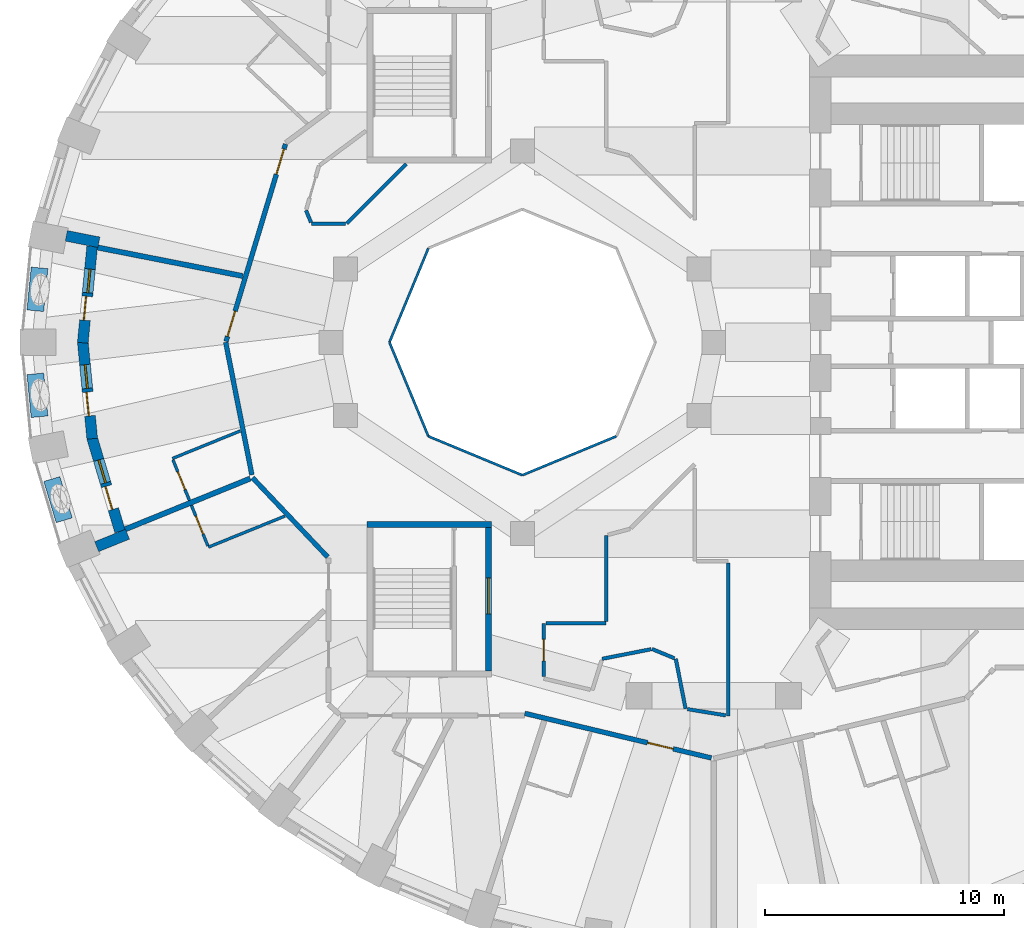
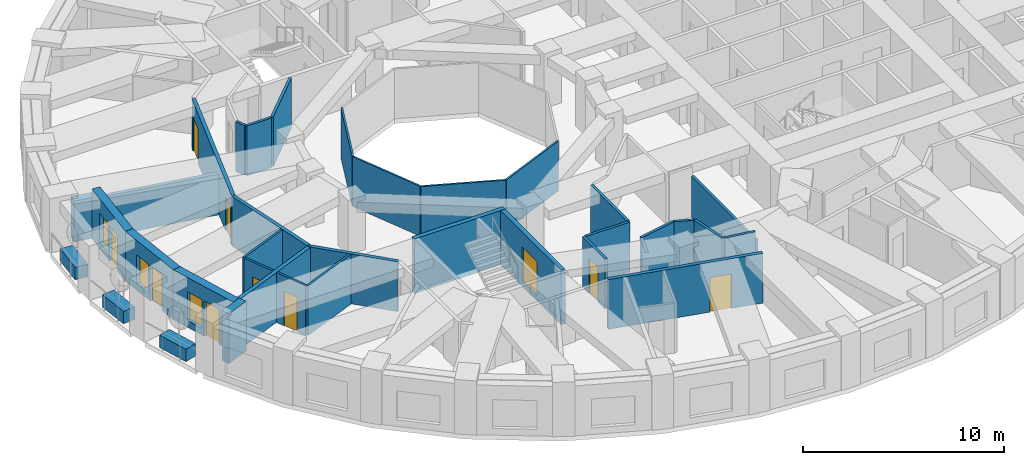
# One storey, part 4 of 14: 35 walls, 10 doors, 3 windows, 13 openings.
"""IFC4 building model written with IfcOpenShell, lengths in metres."""

from ifc_helpers import new_model, si_unit, direction, frame, frame_2d, origin, place, context, subcontext, project, spatial, rectangle, extrude, material, layer, layer_set, constituent, constituent_set, type_object, element, fill, save


model = new_model("IFC4")

# Units and contexts
model_context = context("Model", 3, precision=1e-05, world=origin(), true_north=direction((0.0, 1.0)))
body_context = subcontext(model_context, "Body", "Model", "MODEL_VIEW")
ifc_project = project(units=[si_unit("LENGTHUNIT", "METRE"), si_unit("AREAUNIT", "SQUARE_METRE"), si_unit("VOLUMEUNIT", "CUBIC_METRE"), si_unit("PLANEANGLEUNIT", "RADIAN"), si_unit("MASSUNIT", "GRAM", prefix="KILO")], contexts=[model_context])

# Site, building, storey
site_placement = place(None, origin())
site = spatial("IfcSite", under=ifc_project, at=site_placement, CompositionType="ELEMENT")
building_placement = place(site_placement, origin())
building = spatial("IfcBuilding", under=site, at=building_placement, Name="Taillehof Tower", CompositionType="ELEMENT")
storey_placement = place(building_placement, frame((0.0, 0.0, 21.699951171875)))
storey = spatial("IfcBuildingStorey", under=building, at=storey_placement, Name="L04", CompositionType="ELEMENT", Elevation=21.699951171875)

# Walls
ifc_material_1 = material(Name="Fire-resisting glass in steel frame", Category="steel")
ifc_layer_1 = layer(ifc_material_1, 0.10009765625)
ifc_layer_set_1 = layer_set([ifc_layer_1], Name="Atrium fire-resisting screen EI 60 100")
wall_type_1 = type_object("IfcWallType", Name="Atrium fire-resisting screen EI 60 100", PredefinedType="PARTITIONING", material=ifc_layer_set_1)
for number, where, z_axis, x_axis, name in (
    (1, (-4.07275390625, -3.92724609375, 0.0), (0.0, 0.0, 1.0), (-0.923860025149, -0.382730523909, 0.0), "Atrium screen"),
    (2, (-8.0, -5.55419921875, 0.0), (0.0, 0.0, 1.0), (-0.923860025149, 0.382730523909, 0.0), "Atrium screen"),
    (3, (-11.92724609375, -3.92724609375, 0.0), (0.0, 0.0, 1.0), (-0.382730523909, 0.923860025149, 0.0), "Atrium screen"),
    (4, (-13.55419921875, 0.0, 0.0), (0.0, 0.0, 1.0), (0.382730523909, 0.923860025149, 0.0), "Atrium screen"),
):
    element("IfcWall", number, at=place(storey_placement, frame(where, z_axis=z_axis, x_axis=x_axis)), inside=storey, type_object=wall_type_1, Name=name, PredefinedType="PARTITIONING", context=body_context, shape_type="SweptSolid", body=[
        extrude(rectangle(XDim=4.2509765625, YDim=0.10009765625, at=frame_2d((2.12548828125, 0.0))), origin(), (0.0, 0.0, 1.0), 3.02001953125),
    ])
ifc_material_2 = material(Name="Brick masonry", Category="masonry")
ifc_layer_2 = layer(ifc_material_2, 0.449951171875)
ifc_layer_set_2 = layer_set([ifc_layer_2], Name="Brick infill wall 450")
wall_type_2 = type_object("IfcWallType", Name="Brick infill wall 450", PredefinedType="SOLIDWALL", material=ifc_layer_set_2)
wall_1_placement = place(storey_placement, frame((-27.06396484375, 4.449951171875, 0.0), z_axis=(0.0, 0.0, 1.0), x_axis=(0.98123042829, -0.192838913596, 0.0)))
element("IfcWall", 5, at=wall_1_placement, inside=storey, type_object=wall_type_2, Name="Brick reveal L04 pocket 5", PredefinedType="SOLIDWALL", context=body_context, shape_type="SweptSolid", body=[
    extrude(rectangle(XDim=1.39013671875, YDim=0.449951171875, at=frame_2d((0.695068359375, 0.0))), origin(), (0.0, 0.0, 1.0), 2.469970703125),
])
wall_2_placement = place(storey_placement, frame((-25.795654296875, -8.54443359375, 0.0), z_axis=(0.0, 0.0, 1.0), x_axis=(0.926575599743, 0.376108572039, 0.0)))
element("IfcWall", 6, at=wall_2_placement, inside=storey, type_object=wall_type_2, Name="Brick reveal L04 pocket 5", PredefinedType="SOLIDWALL", context=body_context, shape_type="SweptSolid", body=[
    extrude(rectangle(XDim=1.390380859375, YDim=0.449951171875, at=frame_2d((0.6953125, 0.0))), origin(), (0.0, 0.0, 1.0), 3.02001953125),
])

# Wall, openings, door, window
wall_3_placement = place(storey_placement, frame((-25.982666015625, 4.008056640625, 0.0), z_axis=(0.0, 0.0, 1.0), x_axis=(-0.097133468736, -0.995271364629, 0.0)))
wall_3 = element("IfcWall", 7, at=wall_3_placement, inside=storey, type_object=wall_type_2, Name="Brick wall L04 pocket bay 18", PredefinedType="SOLIDWALL", context=body_context, shape_type="SweptSolid", body=[
    extrude(rectangle(XDim=4.049072265625, YDim=0.449951171875, at=frame_2d((2.0244140625, 0.0))), origin(), (0.0, 0.0, 1.0), 3.02001953125),
])
opening_1_placement = place(wall_3_placement, frame((0.949462890625, 0.0, 0.39990234375)))
opening_1 = element("IfcOpeningElement", 8, at=opening_1_placement, cuts=wall_3, Name="Opening W5", PredefinedType="OPENING", context=body_context, shape_type="SweptSolid", body=[
    extrude(rectangle(XDim=1.0, YDim=1.75, at=frame_2d((0.5, 0.875))), frame((0.0, 0.23486328125, 0.0), z_axis=(0.0, -1.0, 0.0), x_axis=(1.0, 0.0, 0.0)), (0.0, 0.0, 1.0), 0.469970703125),
])
opening_2_placement = place(wall_3_placement, frame((2.099609375, 0.0, 0.0)))
opening_2 = element("IfcOpeningElement", 9, at=opening_2_placement, cuts=wall_3, Name="Opening D0494", PredefinedType="OPENING", context=body_context, shape_type="SweptSolid", body=[
    extrude(rectangle(XDim=1.0, YDim=2.14990234375, at=frame_2d((0.5, 1.074951171875))), frame((0.0, 0.23486328125, 0.0), z_axis=(0.0, -1.0, 0.0), x_axis=(1.0, 0.0, 0.0)), (0.0, 0.0, 1.0), 0.469970703125),
])
ifc_material_3 = material(Name="Aluminium door frame with clear double glazing", Category="aluminium")
door_type_1 = type_object("IfcDoorType", Name="Balcony door 1000x2150", OperationType="SINGLE_SWING_RIGHT", PredefinedType="DOOR", material=ifc_material_3)
door_1_placement = place(opening_2_placement, frame((1.0, 0.0, 0.0), z_axis=(0.0, 0.0, 1.0), x_axis=(-1.0, 0.0, 0.0)))
door_1 = element("IfcDoor", 10, at=door_1_placement, inside=storey, type_object=door_type_1, Name="Balcony door L04 bay 18", OperationType="SINGLE_SWING_RIGHT", OverallHeight=2.14990234375, OverallWidth=1.0, PredefinedType="DOOR", context=body_context, shape_type="SweptSolid", body=[
    extrude(rectangle(XDim=1.0, YDim=2.14990234375, at=frame_2d((0.5, 1.074951171875))), frame((0.0, 0.0751953125, 0.0), z_axis=(0.0, -1.0, 0.0), x_axis=(1.0, 0.0, 0.0)), (0.0, 0.0, 1.0), 0.050048828125),
])
fill(opening_2, door_1)
ifc_material_4 = material(Name="Aluminium window frame with clear double glazing", Category="aluminium")
window_type = type_object("IfcWindowType", Name="Fixed window 1000x1750", PartitioningType="SINGLE_PANEL", PredefinedType="WINDOW", material=ifc_material_4)
window_1_placement = place(opening_1_placement, origin())
window_1 = element("IfcWindow", 11, at=window_1_placement, inside=storey, type_object=window_type, Name="W5", OverallHeight=1.75, OverallWidth=1.0, PartitioningType="SINGLE_PANEL", PredefinedType="WINDOW", context=body_context, shape_type="SweptSolid", body=[
    extrude(rectangle(XDim=1.0, YDim=1.75, at=frame_2d((0.5, 0.875))), frame((0.0, 0.034912109375, 0.0), z_axis=(0.0, -1.0, 0.0), x_axis=(1.0, 0.0, 0.0)), (0.0, 0.0, 1.0), 0.06005859375),
])
fill(opening_1, window_1)

wall_4_placement = place(storey_placement, frame((-26.3759765625, 0.02197265625, 0.0), z_axis=(0.0, 0.0, 1.0), x_axis=(0.097092719726, -0.995275340685, 0.0)))
wall_4 = element("IfcWall", 12, at=wall_4_placement, inside=storey, type_object=wall_type_2, Name="Brick wall L04 pocket bay 19", PredefinedType="SOLIDWALL", context=body_context, shape_type="SweptSolid", body=[
    extrude(rectangle(XDim=4.071044921875, YDim=0.449951171875, at=frame_2d((2.03564453125, 0.0))), origin(), (0.0, 0.0, 1.0), 3.02001953125),
])
opening_3_placement = place(wall_4_placement, frame((0.96044921875, 0.0, 0.39990234375)))
opening_3 = element("IfcOpeningElement", 13, at=opening_3_placement, cuts=wall_4, Name="Opening W5", PredefinedType="OPENING", context=body_context, shape_type="SweptSolid", body=[
    extrude(rectangle(XDim=1.0, YDim=1.75, at=frame_2d((0.5, 0.875))), frame((0.0, 0.23486328125, 0.0), z_axis=(0.0, -1.0, 0.0), x_axis=(1.0, 0.0, 0.0)), (0.0, 0.0, 1.0), 0.469970703125),
])
opening_4_placement = place(wall_4_placement, frame((2.110595703125, 0.0, 0.0)))
opening_4 = element("IfcOpeningElement", 14, at=opening_4_placement, cuts=wall_4, Name="Opening D0495", PredefinedType="OPENING", context=body_context, shape_type="SweptSolid", body=[
    extrude(rectangle(XDim=1.0, YDim=2.14990234375, at=frame_2d((0.5, 1.074951171875))), frame((0.0, 0.23486328125, 0.0), z_axis=(0.0, -1.0, 0.0), x_axis=(1.0, 0.0, 0.0)), (0.0, 0.0, 1.0), 0.469970703125),
])
door_2_placement = place(opening_4_placement, frame((1.0, 0.0, 0.0), z_axis=(0.0, 0.0, 1.0), x_axis=(-1.0, 0.0, 0.0)))
door_2 = element("IfcDoor", 15, at=door_2_placement, inside=storey, type_object=door_type_1, Name="Balcony door L04 bay 19", OperationType="SINGLE_SWING_LEFT", OverallHeight=2.14990234375, OverallWidth=1.0, PredefinedType="DOOR", context=body_context, shape_type="SweptSolid", body=[
    extrude(rectangle(XDim=1.0, YDim=2.14990234375, at=frame_2d((0.5, 1.074951171875))), frame((0.0, 0.0751953125, 0.0), z_axis=(0.0, -1.0, 0.0), x_axis=(1.0, 0.0, 0.0)), (0.0, 0.0, 1.0), 0.050048828125),
])
fill(opening_4, door_2)
window_2_placement = place(opening_3_placement, origin())
window_2 = element("IfcWindow", 16, at=window_2_placement, inside=storey, type_object=window_type, Name="W5", OverallHeight=1.75, OverallWidth=1.0, PartitioningType="SINGLE_PANEL", PredefinedType="WINDOW", context=body_context, shape_type="SweptSolid", body=[
    extrude(rectangle(XDim=1.0, YDim=1.75, at=frame_2d((0.5, 0.875))), frame((0.0, 0.034912109375, 0.0), z_axis=(0.0, -1.0, 0.0), x_axis=(1.0, 0.0, 0.0)), (0.0, 0.0, 1.0), 0.06005859375),
])
fill(opening_3, window_2)

wall_5_placement = place(storey_placement, frame((-25.989013671875, -3.9873046875, 0.0), z_axis=(0.0, 0.0, 1.0), x_axis=(0.286427456555, -0.958101932015, 0.0)))
wall_5 = element("IfcWall", 17, at=wall_5_placement, inside=storey, type_object=wall_type_2, Name="Brick wall L04 pocket bay 20", PredefinedType="SOLIDWALL", context=body_context, shape_type="SweptSolid", body=[
    extrude(rectangle(XDim=4.0888671875, YDim=0.449951171875, at=frame_2d((2.04443359375, 0.0))), origin(), (0.0, 0.0, 1.0), 3.02001953125),
])
opening_5_placement = place(wall_5_placement, frame((0.969482421875, 0.0, 0.39990234375)))
opening_5 = element("IfcOpeningElement", 18, at=opening_5_placement, cuts=wall_5, Name="Opening W5", PredefinedType="OPENING", context=body_context, shape_type="SweptSolid", body=[
    extrude(rectangle(XDim=1.0, YDim=1.75, at=frame_2d((0.5, 0.875))), frame((0.0, 0.23486328125, 0.0), z_axis=(0.0, -1.0, 0.0), x_axis=(1.0, 0.0, 0.0)), (0.0, 0.0, 1.0), 0.469970703125),
])
opening_6_placement = place(wall_5_placement, frame((2.119384765625, 0.0, 0.0)))
opening_6 = element("IfcOpeningElement", 19, at=opening_6_placement, cuts=wall_5, Name="Opening D0496", PredefinedType="OPENING", context=body_context, shape_type="SweptSolid", body=[
    extrude(rectangle(XDim=1.0, YDim=2.14990234375, at=frame_2d((0.5, 1.074951171875))), frame((0.0, 0.23486328125, 0.0), z_axis=(0.0, -1.0, 0.0), x_axis=(1.0, 0.0, 0.0)), (0.0, 0.0, 1.0), 0.469970703125),
])
door_3_placement = place(opening_6_placement, frame((1.0, 0.0, 0.0), z_axis=(0.0, 0.0, 1.0), x_axis=(-1.0, 0.0, 0.0)))
door_3 = element("IfcDoor", 20, at=door_3_placement, inside=storey, type_object=door_type_1, Name="Balcony door L04 bay 20", OperationType="SINGLE_SWING_LEFT", OverallHeight=2.14990234375, OverallWidth=1.0, PredefinedType="DOOR", context=body_context, shape_type="SweptSolid", body=[
    extrude(rectangle(XDim=1.0, YDim=2.14990234375, at=frame_2d((0.5, 1.074951171875))), frame((0.0, 0.0751953125, 0.0), z_axis=(0.0, -1.0, 0.0), x_axis=(1.0, 0.0, 0.0)), (0.0, 0.0, 1.0), 0.050048828125),
])
fill(opening_6, door_3)
window_3_placement = place(opening_5_placement, origin())
window_3 = element("IfcWindow", 21, at=window_3_placement, inside=storey, type_object=window_type, Name="W5", OverallHeight=1.75, OverallWidth=1.0, PartitioningType="SINGLE_PANEL", PredefinedType="WINDOW", context=body_context, shape_type="SweptSolid", body=[
    extrude(rectangle(XDim=1.0, YDim=1.75, at=frame_2d((0.5, 0.875))), frame((0.0, 0.034912109375, 0.0), z_axis=(0.0, -1.0, 0.0), x_axis=(1.0, 0.0, 0.0)), (0.0, 0.0, 1.0), 0.06005859375),
])
fill(opening_5, window_3)

# Wall, opening, door
ifc_material_5 = material(Name="Gypsum board on steel studs, two layers each side", Category="steel")
ifc_layer_3 = layer(ifc_material_5, 0.199951171875)
ifc_layer_set_3 = layer_set([ifc_layer_3], Name="Compartment wall corridor 200")
wall_type_3 = type_object("IfcWallType", Name="Compartment wall corridor 200", PredefinedType="PARTITIONING", material=ifc_layer_set_3)
wall_6_placement = place(storey_placement, frame((-0.09765625, -17.376708984375, 0.0), z_axis=(0.0, 0.0, 1.0), x_axis=(-0.97260043732, 0.232483094708, 0.0)))
wall_6 = element("IfcWall", 22, at=wall_6_placement, inside=storey, type_object=wall_type_3, Name="Compartment wall", PredefinedType="PARTITIONING", context=body_context, shape_type="SweptSolid", body=[
    extrude(rectangle(XDim=8.02197265625, YDim=0.199951171875, at=frame_2d((4.010986328125, 0.0))), origin(), (0.0, 0.0, 1.0), 3.02001953125),
])
opening_7_placement = place(wall_6_placement, frame((1.64306640625, 0.0, 0.0)))
opening_7 = element("IfcOpeningElement", 23, at=opening_7_placement, cuts=wall_6, Name="Opening D0462", PredefinedType="OPENING", context=body_context, shape_type="SweptSolid", body=[
    extrude(rectangle(XDim=1.10009765625, YDim=2.10009765625, at=frame_2d((0.550048828125, 1.050048828125))), frame((0.0, 0.10986328125, 0.0), z_axis=(0.0, -1.0, 0.0), x_axis=(1.0, 0.0, 0.0)), (0.0, 0.0, 1.0), 0.219970703125),
])
ifc_material_6 = material(Name="Timber door leaf in steel frame", Category="steel")
door_type_2 = type_object("IfcDoorType", Name="Suite entrance door EI 30 1100 x 2100", OperationType="SINGLE_SWING_LEFT", PredefinedType="DOOR", material=ifc_material_6)
door_4_placement = place(opening_7_placement, origin())
door_4 = element("IfcDoor", 24, at=door_4_placement, inside=storey, type_object=door_type_2, Name="D0462", OperationType="SINGLE_SWING_LEFT", OverallHeight=2.10009765625, OverallWidth=1.10009765625, PredefinedType="DOOR", context=body_context, shape_type="SweptSolid", body=[
    extrude(rectangle(XDim=1.10009765625, YDim=2.10009765625, at=frame_2d((0.550048828125, 1.050048828125))), frame((0.0, 0.02490234375, 0.0), z_axis=(0.0, -1.0, 0.0), x_axis=(1.0, 0.0, 0.0)), (0.0, 0.0, 1.0), 0.050048828125),
])
fill(opening_7, door_4)

# Walls
wall_7_placement = place(storey_placement, frame((-16.14111328125, -8.973876953125, 0.0), z_axis=(0.0, 0.0, 1.0), x_axis=(-0.687741683024, 0.725955492735, 0.0)))
element("IfcWall", 25, at=wall_7_placement, inside=storey, type_object=wall_type_3, Name="Compartment wall", PredefinedType="PARTITIONING", context=body_context, shape_type="SweptSolid", body=[
    extrude(rectangle(XDim=4.568115234375, YDim=0.199951171875, at=frame_2d((2.2841796875, 0.0))), origin(), (0.0, 0.0, 1.0), 3.02001953125),
])
wall_8_placement = place(storey_placement, frame((-19.30615234375, -5.54052734375, 0.0), z_axis=(0.0, 0.0, 1.0), x_axis=(-0.193671356151, 0.981066463501, 0.0)))
element("IfcWall", 26, at=wall_8_placement, inside=storey, type_object=wall_type_3, Name="Compartment wall", PredefinedType="PARTITIONING", context=body_context, shape_type="SweptSolid", body=[
    extrude(rectangle(XDim=5.6474609375, YDim=0.199951171875, at=frame_2d((2.82373046875, 0.0))), origin(), (0.0, 0.0, 1.0), 3.02001953125),
])

# Wall, openings, doors
wall_9_placement = place(storey_placement, frame((-20.38818359375, 0.0380859375, 0.0), z_axis=(0.0, 0.0, 1.0), x_axis=(0.288600779805, 0.957449523419, 0.0)))
wall_9 = element("IfcWall", 27, at=wall_9_placement, inside=storey, type_object=wall_type_3, Name="Compartment wall", PredefinedType="PARTITIONING", context=body_context, shape_type="SweptSolid", body=[
    extrude(rectangle(XDim=8.614990234375, YDim=0.199951171875, at=frame_2d((4.3076171875, 0.0))), origin(), (0.0, 0.0, 1.0), 3.02001953125),
])
opening_8_placement = place(wall_9_placement, frame((7.295166015625, 0.0, 0.0)))
opening_8 = element("IfcOpeningElement", 28, at=opening_8_placement, cuts=wall_9, Name="Opening D0452", PredefinedType="OPENING", context=body_context, shape_type="SweptSolid", body=[
    extrude(rectangle(XDim=1.10009765625, YDim=2.10009765625, at=frame_2d((0.550048828125, 1.050048828125))), frame((0.0, 0.10986328125, 0.0), z_axis=(0.0, -1.0, 0.0), x_axis=(1.0, 0.0, 0.0)), (0.0, 0.0, 1.0), 0.219970703125),
])
opening_9_placement = place(wall_9_placement, frame((0.219970703125, 0.0, 0.0)))
opening_9 = element("IfcOpeningElement", 29, at=opening_9_placement, cuts=wall_9, Name="Opening D0454", PredefinedType="OPENING", context=body_context, shape_type="SweptSolid", body=[
    extrude(rectangle(XDim=1.10009765625, YDim=2.10009765625, at=frame_2d((0.550048828125, 1.050048828125))), frame((0.0, 0.10986328125, 0.0), z_axis=(0.0, -1.0, 0.0), x_axis=(1.0, 0.0, 0.0)), (0.0, 0.0, 1.0), 0.219970703125),
])
door_5_placement = place(opening_8_placement, origin())
door_5 = element("IfcDoor", 30, at=door_5_placement, inside=storey, type_object=door_type_2, Name="D0452", OperationType="SINGLE_SWING_RIGHT", OverallHeight=2.10009765625, OverallWidth=1.10009765625, PredefinedType="DOOR", context=body_context, shape_type="SweptSolid", body=[
    extrude(rectangle(XDim=1.10009765625, YDim=2.10009765625, at=frame_2d((0.550048828125, 1.050048828125))), frame((0.0, 0.02490234375, 0.0), z_axis=(0.0, -1.0, 0.0), x_axis=(1.0, 0.0, 0.0)), (0.0, 0.0, 1.0), 0.050048828125),
])
fill(opening_8, door_5)
door_6_placement = place(opening_9_placement, origin())
door_6 = element("IfcDoor", 31, at=door_6_placement, inside=storey, type_object=door_type_2, Name="D0454", OperationType="SINGLE_SWING_RIGHT", OverallHeight=2.10009765625, OverallWidth=1.10009765625, PredefinedType="DOOR", context=body_context, shape_type="SweptSolid", body=[
    extrude(rectangle(XDim=1.10009765625, YDim=2.10009765625, at=frame_2d((0.550048828125, 1.050048828125))), frame((0.0, 0.02490234375, 0.0), z_axis=(0.0, -1.0, 0.0), x_axis=(1.0, 0.0, 0.0)), (0.0, 0.0, 1.0), 0.050048828125),
])
fill(opening_9, door_6)

# Walls
ifc_material_7 = material(Name="Gypsum board on double steel studs with mineral wool", Category="steel")
ifc_layer_4 = layer(ifc_material_7, 0.219970703125)
ifc_layer_set_4 = layer_set([ifc_layer_4], Name="Compartment wall guest room 220")
wall_type_4 = type_object("IfcWallType", Name="Compartment wall guest room 220", PredefinedType="PARTITIONING", material=ifc_layer_set_4)
wall_10_placement = place(storey_placement, frame((-25.760986328125, 3.96435546875, 0.0), z_axis=(0.0, 0.0, 1.0), x_axis=(0.981209888948, -0.192943395406, 0.0)))
element("IfcWall", 32, at=wall_10_placement, inside=storey, type_object=wall_type_4, Name="Compartment wall", PredefinedType="PARTITIONING", context=body_context, shape_type="SweptSolid", body=[
    extrude(rectangle(XDim=6.1875, YDim=0.219970703125, at=frame_2d((3.09375, 0.0))), origin(), (0.0, 0.0, 1.0), 2.469970703125),
])
wall_11_placement = place(storey_placement, frame((-24.6083984375, -7.81982421875, 0.0), z_axis=(0.0, 0.0, 1.0), x_axis=(0.926565467624, 0.376133532415, 0.0)))
element("IfcWall", 33, at=wall_11_placement, inside=storey, type_object=wall_type_4, Name="Compartment wall", PredefinedType="PARTITIONING", context=body_context, shape_type="SweptSolid", body=[
    extrude(rectangle(XDim=5.647705078125, YDim=0.219970703125, at=frame_2d((2.82373046875, 0.0))), origin(), (0.0, 0.0, 1.0), 3.02001953125),
])
ifc_material_8 = material(Name="Gypsum board on steel studs, two layers each side", Category="steel")
ifc_layer_5 = layer(ifc_material_8, 0.14990234375)
ifc_layer_set_5 = layer_set([ifc_layer_5], Name="Compartment wall service room 150")
wall_type_5 = type_object("IfcWallType", Name="Compartment wall service room 150", PredefinedType="PARTITIONING", material=ifc_layer_set_5)
wall_12_placement = place(storey_placement, frame((-12.847412109375, 7.456298828125, 0.0), z_axis=(0.0, 0.0, 1.0), x_axis=(-0.707072180997, -0.707141379683, 0.0)))
element("IfcWall", 34, at=wall_12_placement, inside=storey, type_object=wall_type_5, Name="Compartment wall", PredefinedType="PARTITIONING", context=body_context, shape_type="SweptSolid", body=[
    extrude(rectangle(XDim=3.528076171875, YDim=0.14990234375, at=frame_2d((1.76416015625, 0.0))), origin(), (0.0, 0.0, 1.0), 3.02001953125),
])
wall_13_placement = place(storey_placement, frame((-15.402099609375, 4.96142578125, 0.0), z_axis=(0.0, 0.0, 1.0), x_axis=(-0.999994001087, -0.003463782477, 0.0)))
element("IfcWall", 35, at=wall_13_placement, inside=storey, type_object=wall_type_5, Name="Compartment wall", PredefinedType="PARTITIONING", context=body_context, shape_type="SweptSolid", body=[
    extrude(rectangle(XDim=1.40966796875, YDim=0.14990234375, at=frame_2d((0.704833984375, 0.0))), origin(), (0.0, 0.0, 1.0), 3.02001953125),
])
wall_14_placement = place(storey_placement, frame((-16.83447265625, 5.01220703125, 0.0), z_axis=(0.0, 0.0, 1.0), x_axis=(-0.384455737739, 0.923143426408, 0.0)))
element("IfcWall", 36, at=wall_14_placement, inside=storey, type_object=wall_type_5, Name="Compartment wall", PredefinedType="PARTITIONING", context=body_context, shape_type="SweptSolid", body=[
    extrude(rectangle(XDim=0.54296875, YDim=0.14990234375, at=frame_2d((0.271484375, 0.0))), origin(), (0.0, 0.0, 1.0), 3.02001953125),
])
wall_15_placement = place(storey_placement, frame((-1.17578125, -15.322021484375, 0.0), z_axis=(0.0, 0.0, 1.0), x_axis=(-0.192477233237, 0.981301439256, 0.0)))
element("IfcWall", 37, at=wall_15_placement, inside=storey, type_object=wall_type_5, Name="Compartment wall", PredefinedType="PARTITIONING", context=body_context, shape_type="SweptSolid", body=[
    extrude(rectangle(XDim=2.129638671875, YDim=0.14990234375, at=frame_2d((1.06494140625, 0.0))), origin(), (0.0, 0.0, 1.0), 3.02001953125),
])
wall_16_placement = place(storey_placement, frame((-1.641357421875, -13.20947265625, 0.0), z_axis=(0.0, 0.0, 1.0), x_axis=(-0.923725449546, 0.383055209937, 0.0)))
element("IfcWall", 38, at=wall_16_placement, inside=storey, type_object=wall_type_5, Name="Compartment wall", PredefinedType="PARTITIONING", context=body_context, shape_type="SweptSolid", body=[
    extrude(rectangle(XDim=1.011474609375, YDim=0.14990234375, at=frame_2d((0.505859375, 0.0))), origin(), (0.0, 0.0, 1.0), 3.02001953125),
])
wall_17_placement = place(storey_placement, frame((-2.61474609375, -12.829833984375, 0.0), z_axis=(0.0, 0.0, 1.0), x_axis=(-0.981297312652, -0.192498270593, 0.0)))
element("IfcWall", 39, at=wall_17_placement, inside=storey, type_object=wall_type_5, Name="Compartment wall", PredefinedType="PARTITIONING", context=body_context, shape_type="SweptSolid", body=[
    extrude(rectangle(XDim=2.090087890625, YDim=0.14990234375, at=frame_2d((1.044921875, 0.0))), origin(), (0.0, 0.0, 1.0), 3.02001953125),
])

# Wall, opening, door
wall_18_placement = place(storey_placement, frame((-7.10009765625, -13.977783203125, 0.0), z_axis=(0.0, 0.0, 1.0), x_axis=(0.0, 1.0, 0.0)))
wall_18 = element("IfcWall", 40, at=wall_18_placement, inside=storey, type_object=wall_type_5, Name="Compartment wall", PredefinedType="PARTITIONING", context=body_context, shape_type="SweptSolid", body=[
    extrude(rectangle(XDim=2.227783203125, YDim=0.14990234375, at=frame_2d((1.11376953125, 0.0))), origin(), (0.0, 0.0, 1.0), 3.02001953125),
])
opening_10_placement = place(wall_18_placement, frame((0.663818359375, 0.0, 0.0)))
opening_10 = element("IfcOpeningElement", 41, at=opening_10_placement, cuts=wall_18, Name="Opening D0476", PredefinedType="OPENING", context=body_context, shape_type="SweptSolid", body=[
    extrude(rectangle(XDim=0.89990234375, YDim=2.10009765625, at=frame_2d((0.449951171875, 1.050048828125))), frame((0.0, 0.0849609375, 0.0), z_axis=(0.0, -1.0, 0.0), x_axis=(1.0, 0.0, 0.0)), (0.0, 0.0, 1.0), 0.169921875),
])
ifc_material_9 = material(Name="Timber door leaf in steel frame", Category="steel")
door_type_3 = type_object("IfcDoorType", Name="Service room door EI 30 900 x 2100", OperationType="SINGLE_SWING_LEFT", PredefinedType="DOOR", material=ifc_material_9)
door_7_placement = place(opening_10_placement, origin())
door_7 = element("IfcDoor", 42, at=door_7_placement, inside=storey, type_object=door_type_3, Name="D0476", OperationType="SINGLE_SWING_LEFT", OverallHeight=2.10009765625, OverallWidth=0.89990234375, PredefinedType="DOOR", context=body_context, shape_type="SweptSolid", body=[
    extrude(rectangle(XDim=0.89990234375, YDim=2.10009765625, at=frame_2d((0.449951171875, 1.050048828125))), frame((0.0, 0.02490234375, 0.0), z_axis=(0.0, -1.0, 0.0), x_axis=(1.0, 0.0, 0.0)), (0.0, 0.0, 1.0), 0.050048828125),
])
fill(opening_10, door_7)

# Walls
wall_19_placement = place(storey_placement, frame((-7.02001953125, -11.75, 0.0), z_axis=(0.0, 0.0, 1.0), x_axis=(1.0, 0.0, 0.0)))
element("IfcWall", 43, at=wall_19_placement, inside=storey, type_object=wall_type_5, Name="Compartment wall", PredefinedType="PARTITIONING", context=body_context, shape_type="SweptSolid", body=[
    extrude(rectangle(XDim=2.52001953125, YDim=0.14990234375, at=frame_2d((1.260009765625, 0.0))), origin(), (0.0, 0.0, 1.0), 3.02001953125),
])
wall_20_placement = place(storey_placement, frame((-4.5, -11.669921875, 0.0), z_axis=(0.0, 0.0, 1.0), x_axis=(0.0, 1.0, 0.0)))
element("IfcWall", 44, at=wall_20_placement, inside=storey, type_object=wall_type_5, Name="Compartment wall", PredefinedType="PARTITIONING", context=body_context, shape_type="SweptSolid", body=[
    extrude(rectangle(XDim=3.600830078125, YDim=0.14990234375, at=frame_2d((1.80029296875, 0.0))), origin(), (0.0, 0.0, 1.0), 3.02001953125),
])
wall_21_placement = place(storey_placement, frame((0.60009765625, -9.22998046875, 0.0), z_axis=(0.0, 0.0, 1.0), x_axis=(0.0, -1.0, 0.0)))
element("IfcWall", 45, at=wall_21_placement, inside=storey, type_object=wall_type_5, Name="Compartment wall", PredefinedType="PARTITIONING", context=body_context, shape_type="SweptSolid", body=[
    extrude(rectangle(XDim=6.381591796875, YDim=0.14990234375, at=frame_2d((3.19091796875, 0.0))), origin(), (0.0, 0.0, 1.0), 2.469970703125),
])
wall_22_placement = place(storey_placement, frame((0.501220703125, -15.595703125, 0.0), z_axis=(0.0, 0.0, 1.0), x_axis=(-0.986922601781, 0.161194845119, 0.0)))
element("IfcWall", 46, at=wall_22_placement, inside=storey, type_object=wall_type_5, Name="Compartment wall", PredefinedType="PARTITIONING", context=body_context, shape_type="SweptSolid", body=[
    extrude(rectangle(XDim=1.619140625, YDim=0.14990234375, at=frame_2d((0.8095703125, 0.0))), origin(), (0.0, 0.0, 1.0), 3.02001953125),
])
ifc_material_10 = material(Name="Gypsum board on steel studs, moisture resistant", Category="steel")
ifc_layer_6 = layer(ifc_material_10, 0.1201171875)
ifc_layer_set_6 = layer_set([ifc_layer_6], Name="En-suite wall 120")
wall_type_6 = type_object("IfcWallType", Name="En-suite wall 120", PredefinedType="PARTITIONING", material=ifc_layer_set_6)
wall_23_placement = place(storey_placement, frame((-19.790283203125, -3.705322265625, 0.0), z_axis=(0.0, 0.0, 1.0), x_axis=(-0.926585481443, -0.37608422671, 0.0)))
element("IfcWall", 47, at=wall_23_placement, inside=storey, type_object=wall_type_6, Name="En-suite wall", PredefinedType="PARTITIONING", context=body_context, shape_type="SweptSolid", body=[
    extrude(rectangle(XDim=3.06396484375, YDim=0.1201171875, at=frame_2d((1.531982421875, 0.0))), origin(), (0.0, 0.0, 1.0), 3.02001953125),
])
wall_24_placement = place(storey_placement, frame((-17.923828125, -7.264404296875, 0.0), z_axis=(0.0, 0.0, 1.0), x_axis=(-0.926548953408, -0.376174210891, 0.0)))
element("IfcWall", 48, at=wall_24_placement, inside=storey, type_object=wall_type_6, Name="En-suite wall", PredefinedType="PARTITIONING", context=body_context, shape_type="SweptSolid", body=[
    extrude(rectangle(XDim=3.45458984375, YDim=0.1201171875, at=frame_2d((1.727294921875, 0.0))), origin(), (0.0, 0.0, 1.0), 3.02001953125),
])

# Wall, opening, door
wall_25_placement = place(storey_placement, frame((-22.60693359375, -4.913330078125, 0.0), z_axis=(0.0, 0.0, 1.0), x_axis=(0.376216010002, -0.92653198208, 0.0)))
wall_25 = element("IfcWall", 49, at=wall_25_placement, inside=storey, type_object=wall_type_6, Name="En-suite wall", PredefinedType="PARTITIONING", context=body_context, shape_type="SweptSolid", body=[
    extrude(rectangle(XDim=1.830078125, YDim=0.1201171875, at=frame_2d((0.9150390625, 0.0))), origin(), (0.0, 0.0, 1.0), 3.02001953125),
])
opening_11_placement = place(wall_25_placement, frame((0.5400390625, 0.0, 0.0)))
opening_11 = element("IfcOpeningElement", 50, at=opening_11_placement, cuts=wall_25, Name="Opening D0455", PredefinedType="OPENING", context=body_context, shape_type="SweptSolid", body=[
    extrude(rectangle(XDim=0.800048828125, YDim=2.10009765625, at=frame_2d((0.39990234375, 1.050048828125))), frame((0.0, 0.070068359375, 0.0), z_axis=(0.0, -1.0, 0.0), x_axis=(1.0, 0.0, 0.0)), (0.0, 0.0, 1.0), 0.14013671875),
])
ifc_material_11 = material(Name="Timber door leaf in steel frame", Category="steel")
door_type_4 = type_object("IfcDoorType", Name="En-suite door 800 x 2100", OperationType="SINGLE_SWING_LEFT", PredefinedType="DOOR", material=ifc_material_11)
door_8_placement = place(opening_11_placement, origin())
door_8 = element("IfcDoor", 51, at=door_8_placement, inside=storey, type_object=door_type_4, Name="D0455", OperationType="SINGLE_SWING_LEFT", OverallHeight=2.10009765625, OverallWidth=0.800048828125, PredefinedType="DOOR", context=body_context, shape_type="SweptSolid", body=[
    extrude(rectangle(XDim=0.800048828125, YDim=2.10009765625, at=frame_2d((0.39990234375, 1.050048828125))), frame((0.0, 0.02490234375, 0.0), z_axis=(0.0, -1.0, 0.0), x_axis=(1.0, 0.0, 0.0)), (0.0, 0.0, 1.0), 0.050048828125),
])
fill(opening_11, door_8)

wall_26_placement = place(storey_placement, frame((-21.147216796875, -8.50830078125, 0.0), z_axis=(0.0, 0.0, 1.0), x_axis=(-0.376216010002, 0.92653198208, 0.0)))
wall_26 = element("IfcWall", 52, at=wall_26_placement, inside=storey, type_object=wall_type_6, Name="En-suite wall", PredefinedType="PARTITIONING", context=body_context, shape_type="SweptSolid", body=[
    extrude(rectangle(XDim=1.830078125, YDim=0.1201171875, at=frame_2d((0.9150390625, 0.0))), origin(), (0.0, 0.0, 1.0), 3.02001953125),
])
opening_12_placement = place(wall_26_placement, frame((0.5400390625, 0.0, 0.0)))
opening_12 = element("IfcOpeningElement", 53, at=opening_12_placement, cuts=wall_26, Name="Opening D0457", PredefinedType="OPENING", context=body_context, shape_type="SweptSolid", body=[
    extrude(rectangle(XDim=0.800048828125, YDim=2.10009765625, at=frame_2d((0.39990234375, 1.050048828125))), frame((0.0, 0.070068359375, 0.0), z_axis=(0.0, -1.0, 0.0), x_axis=(1.0, 0.0, 0.0)), (0.0, 0.0, 1.0), 0.14013671875),
])
door_9_placement = place(opening_12_placement, origin())
door_9 = element("IfcDoor", 54, at=door_9_placement, inside=storey, type_object=door_type_4, Name="D0457", OperationType="SINGLE_SWING_RIGHT", OverallHeight=2.10009765625, OverallWidth=0.800048828125, PredefinedType="DOOR", context=body_context, shape_type="SweptSolid", body=[
    extrude(rectangle(XDim=0.800048828125, YDim=2.10009765625, at=frame_2d((0.39990234375, 1.050048828125))), frame((0.0, 0.02490234375, 0.0), z_axis=(0.0, -1.0, 0.0), x_axis=(1.0, 0.0, 0.0)), (0.0, 0.0, 1.0), 0.050048828125),
])
fill(opening_12, door_9)

# Walls
ifc_material_12 = material(Name="Concrete C30/37 precast", Category="concrete")
ifc_constituent_1 = constituent(ifc_material_12, Name="Structure", Category="concrete")
ifc_material_13 = material(Name="Insulated lining")
ifc_constituent_2 = constituent(ifc_material_13, Name="Lining")
ifc_constituent_set = constituent_set(constituents=[ifc_constituent_1, ifc_constituent_2], Name="Planter trough 700x750")
wall_type_7 = type_object("IfcWallType", Name="Planter trough 700x750", PredefinedType="USERDEFINED", material=ifc_constituent_set)
for number, where, z_axis, x_axis, name in (
    (55, (-28.18310546875, 3.11083984375, 0.0), (0.0, 0.0, 1.0), (-0.097381768628, -0.995247100543, 0.0), "Planter L04 bay 18"),
    (56, (-28.3583984375, -1.3193359375, 0.0), (0.0, 0.0, 1.0), (0.097381768628, -0.995247100543, 0.0), "Planter L04 bay 19"),
):
    element("IfcWall", number, at=place(storey_placement, frame(where, z_axis=z_axis, x_axis=x_axis)), inside=storey, type_object=wall_type_7, Name=name, ObjectType="PLANTER", PredefinedType="USERDEFINED", context=body_context, shape_type="SweptSolid", body=[
        extrude(rectangle(XDim=1.800048828125, YDim=0.699951171875, at=frame_2d((0.89990234375, 0.0))), origin(), (0.0, 0.0, 1.0), 0.75),
    ])
wall_27_placement = place(storey_placement, frame((-27.668701171875, -5.71533203125, 0.0), z_axis=(0.0, 0.0, 1.0), x_axis=(0.287024312863, -0.957923297465, 0.0)))
element("IfcWall", 57, at=wall_27_placement, inside=storey, type_object=wall_type_7, Name="Planter L04 bay 20", ObjectType="PLANTER", PredefinedType="USERDEFINED", context=body_context, shape_type="SweptSolid", body=[
    extrude(rectangle(XDim=1.7998046875, YDim=0.699951171875, at=frame_2d((0.89990234375, 0.0))), origin(), (0.0, 0.0, 1.0), 0.75),
])

# Wall, opening, door
ifc_material_14 = material(Name="Concrete C50/60", Category="concrete")
ifc_layer_7 = layer(ifc_material_14, 0.25)
ifc_layer_set_7 = layer_set([ifc_layer_7], Name="Stair wall C50/60 250")
wall_type_8 = type_object("IfcWallType", Name="Stair wall C50/60 250", PredefinedType="SHEAR", material=ifc_layer_set_7)
wall_28_placement = place(storey_placement, frame((-9.425048828125, -13.75, -0.280029296875), z_axis=(0.0, 0.0, 1.0), x_axis=(0.0, 1.0, 0.0)))
wall_28 = element("IfcWall", 58, at=wall_28_placement, inside=storey, type_object=wall_type_8, Name="Stair wall SC", PredefinedType="SHEAR", context=body_context, shape_type="SweptSolid", body=[
    extrude(rectangle(XDim=6.0, YDim=0.25, at=frame_2d((3.0, 0.0))), origin(), (0.0, 0.0, 1.0), 3.300048828125),
])
opening_13_placement = place(wall_28_placement, frame((2.39990234375, 0.0, 0.280029296875)))
opening_13 = element("IfcOpeningElement", 59, at=opening_13_placement, cuts=wall_28, Name="Opening D0420", PredefinedType="OPENING", context=body_context, shape_type="SweptSolid", body=[
    extrude(rectangle(XDim=1.5, YDim=2.10009765625, at=frame_2d((0.75, 1.050048828125))), frame((0.0, 0.135009765625, 0.0), z_axis=(0.0, -1.0, 0.0), x_axis=(1.0, 0.0, 0.0)), (0.0, 0.0, 1.0), 0.27001953125),
])
ifc_material_15 = material(Name="Steel-faced fire door", Category="steel")
door_type_5 = type_object("IfcDoorType", Name="Stair door 1500x2100", OperationType="DOUBLE_DOOR_SINGLE_SWING", PredefinedType="DOOR", material=ifc_material_15)
door_10_placement = place(opening_13_placement, origin())
door_10 = element("IfcDoor", 60, at=door_10_placement, inside=storey, type_object=door_type_5, Name="Stair door S4", OperationType="DOUBLE_DOOR_SINGLE_SWING", OverallHeight=2.10009765625, OverallWidth=1.5, PredefinedType="DOOR", context=body_context, shape_type="SweptSolid", body=[
    extrude(rectangle(XDim=1.5, YDim=2.10009765625, at=frame_2d((0.75, 1.050048828125))), frame((0.0, 0.02490234375, 0.0), z_axis=(0.0, -1.0, 0.0), x_axis=(1.0, 0.0, 0.0)), (0.0, 0.0, 1.0), 0.050048828125),
])
fill(opening_13, door_10)

# Wall
wall_29_placement = place(storey_placement, frame((-14.5, -7.625, -0.280029296875), z_axis=(0.0, 0.0, 1.0), x_axis=(1.0, 0.0, 0.0)))
element("IfcWall", 61, at=wall_29_placement, inside=storey, type_object=wall_type_8, Name="Stair wall SC", PredefinedType="SHEAR", context=body_context, shape_type="SweptSolid", body=[
    extrude(rectangle(XDim=5.199951171875, YDim=0.25, at=frame_2d((2.60009765625, 0.0))), origin(), (0.0, 0.0, 1.0), 3.300048828125),
])

save(model, "model.ifc")
